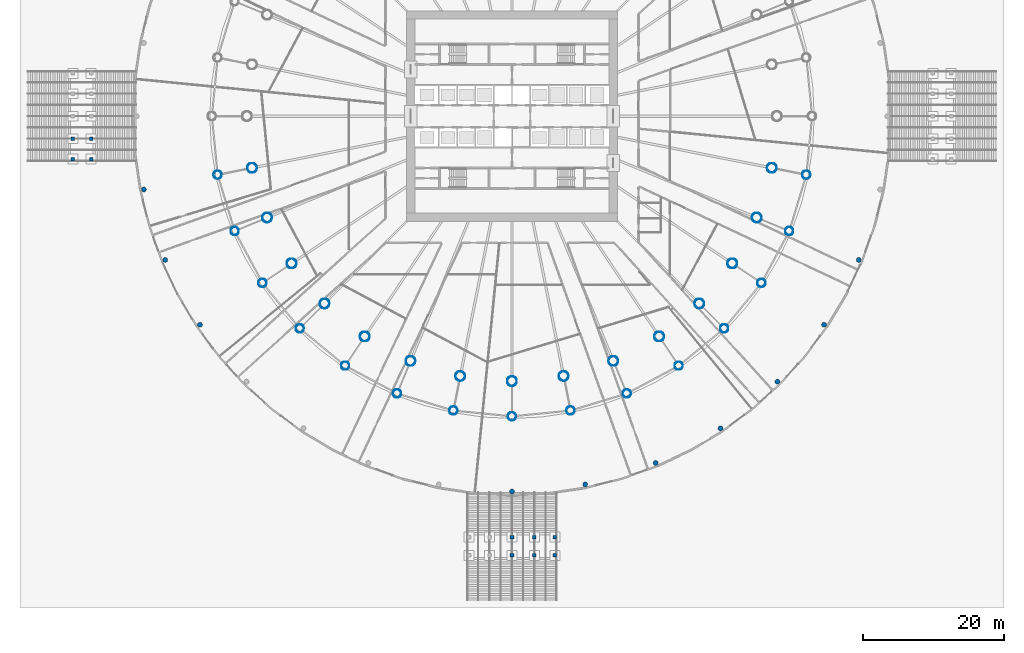
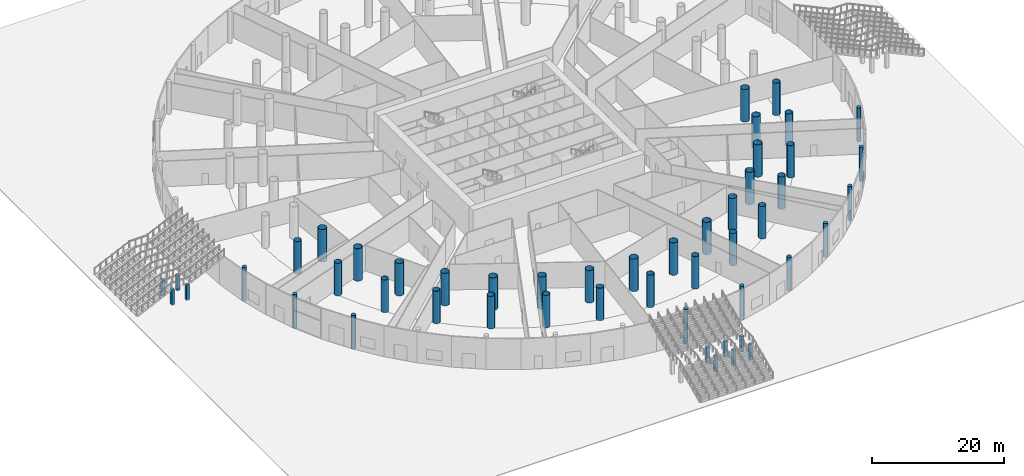
# One storey, part 2 of 33: 50 columns.
"""IFC4 building model written with IfcOpenShell, lengths in metres."""

from ifc_helpers import new_model, si_unit, direction, frame, origin, origin_2d, place, context, subcontext, project, spatial, rectangle, circle, hollow_circle, extrude, material, material_profile, profile_set, type_object, element, save


model = new_model("IFC4")

# Units and contexts
model_context = context("Model", 3, precision=1e-05, world=origin(), true_north=direction((0.0, 1.0)))
body_context = subcontext(model_context, "Body", "Model", "MODEL_VIEW")
ifc_project = project(units=[si_unit("LENGTHUNIT", "METRE"), si_unit("AREAUNIT", "SQUARE_METRE"), si_unit("VOLUMEUNIT", "CUBIC_METRE"), si_unit("PLANEANGLEUNIT", "RADIAN"), si_unit("MASSUNIT", "GRAM", prefix="KILO")], contexts=[model_context])

# Site, building, storey
site_placement = place(None, origin())
site = spatial("IfcSite", under=ifc_project, at=site_placement, CompositionType="ELEMENT")
building_placement = place(site_placement, origin())
building = spatial("IfcBuilding", under=site, at=building_placement, Name="Corvane Civic Tower", CompositionType="ELEMENT")
storey_placement = place(building_placement, origin())
storey = spatial("IfcBuildingStorey", under=building, at=storey_placement, Name="G", CompositionType="ELEMENT", Elevation=0.0)

# Columns
ifc_material_1 = material(Name="Steel ASTM A572 Gr 50", Category="steel")
ifc_material_profile_1 = material_profile(ifc_material_1, hollow_circle(Radius=0.60009765625, WallThickness=0.035888671875, at=origin_2d()), Name="CHS1200X36")
ifc_profile_set_1 = profile_set([ifc_material_profile_1], Name="Steel ASTM A572 Gr 50")
column_type_1 = type_object("IfcColumnType", Name="COMPOSITE COLUMN CHS1200X36", PredefinedType="COLUMN", material=ifc_profile_set_1)
for number, where, z_axis, x_axis, name in (
    (1, (41.879638671875, -8.330322265625, 0.0), (0.0, 0.0, 1.0), (1.0, 0.0, 0.0), "COL-G-G10"),
    (2, (39.44970703125, -16.340576171875, 0.0), (0.0, 0.0, 1.0), (1.0, 0.0, 0.0), "COL-G-G11"),
    (3, (35.503662109375, -23.722900390625, 0.0), (0.0, 0.0, 1.0), (1.0, 0.0, 0.0), "COL-G-G12"),
    (4, (30.193359375, -30.193359375, 0.0), (0.0, 0.0, 1.0), (1.0, 0.0, 0.0), "COL-G-G13"),
    (5, (23.722900390625, -35.503662109375, 0.0), (0.0, 0.0, 1.0), (1.0, 0.0, 0.0), "COL-G-G14"),
    (6, (16.340576171875, -39.44970703125, 0.0), (0.0, 0.0, 1.0), (1.0, 0.0, 0.0), "COL-G-G15"),
    (7, (8.330322265625, -41.879638671875, 0.0), (0.0, 0.0, 1.0), (1.0, 0.0, 0.0), "COL-G-G16"),
    (8, (0.0, -42.699951171875, 0.0), (0.0, 0.0, 1.0), (1.0, 0.0, 0.0), "COL-G-G17"),
    (9, (-8.330322265625, -41.879638671875, 0.0), (0.0, 0.0, 1.0), (1.0, 0.0, 0.0), "COL-G-G18"),
    (10, (-16.340576171875, -39.44970703125, 0.0), (0.0, 0.0, 1.0), (1.0, 0.0, 0.0), "COL-G-G19"),
    (11, (-23.722900390625, -35.503662109375, 0.0), (0.0, 0.0, 1.0), (1.0, 0.0, 0.0), "COL-G-G20"),
    (12, (-30.193359375, -30.193359375, 0.0), (0.0, 0.0, 1.0), (1.0, 0.0, 0.0), "COL-G-G21"),
    (13, (-35.503662109375, -23.722900390625, 0.0), (0.0, 0.0, 1.0), (1.0, 0.0, 0.0), "COL-G-G22"),
    (14, (-39.44970703125, -16.340576171875, 0.0), (0.0, 0.0, 1.0), (1.0, 0.0, 0.0), "COL-G-G23"),
    (15, (-41.879638671875, -8.330322265625, 0.0), (0.0, 0.0, 1.0), (1.0, 0.0, 0.0), "COL-G-G24"),
):
    element("IfcColumn", number, at=place(storey_placement, frame(where, z_axis=z_axis, x_axis=x_axis)), inside=storey, type_object=column_type_1, Name=name, PredefinedType="COLUMN", context=body_context, shape_type="SweptSolid", body=[
        extrude(hollow_circle(Radius=0.60009765625, WallThickness=0.035888671875, at=origin_2d()), origin(), (0.0, 0.0, 1.0), 6.0),
    ])
ifc_material_2 = material(Name="Steel ASTM A572 Gr 50", Category="steel")
ifc_material_profile_2 = material_profile(ifc_material_2, hollow_circle(Radius=0.699951171875, WallThickness=0.0400390625, at=origin_2d()), Name="CHS1400X40")
ifc_profile_set_2 = profile_set([ifc_material_profile_2], Name="Steel ASTM A572 Gr 50")
column_type_2 = type_object("IfcColumnType", Name="COMPOSITE COLUMN CHS1400X40", PredefinedType="COLUMN", material=ifc_profile_set_2)
for number, where, z_axis, x_axis, name in (
    (16, (36.9755859375, -7.35498046875, 0.0), (0.0, 0.0, 1.0), (1.0, 0.0, 0.0), "COL-G-A10"),
    (17, (34.830322265625, -14.42724609375, 0.0), (0.0, 0.0, 1.0), (1.0, 0.0, 0.0), "COL-G-A11"),
    (18, (31.346435546875, -20.945068359375, 0.0), (0.0, 0.0, 1.0), (1.0, 0.0, 0.0), "COL-G-A12"),
    (19, (26.657958984375, -26.657958984375, 0.0), (0.0, 0.0, 1.0), (1.0, 0.0, 0.0), "COL-G-A13"),
    (20, (20.945068359375, -31.346435546875, 0.0), (0.0, 0.0, 1.0), (1.0, 0.0, 0.0), "COL-G-A14"),
    (21, (14.42724609375, -34.830322265625, 0.0), (0.0, 0.0, 1.0), (1.0, 0.0, 0.0), "COL-G-A15"),
    (22, (7.35498046875, -36.9755859375, 0.0), (0.0, 0.0, 1.0), (1.0, 0.0, 0.0), "COL-G-A16"),
    (23, (0.0, -37.699951171875, 0.0), (0.0, 0.0, 1.0), (1.0, 0.0, 0.0), "COL-G-A17"),
    (24, (-7.35498046875, -36.9755859375, 0.0), (0.0, 0.0, 1.0), (1.0, 0.0, 0.0), "COL-G-A18"),
    (25, (-14.42724609375, -34.830322265625, 0.0), (0.0, 0.0, 1.0), (1.0, 0.0, 0.0), "COL-G-A19"),
    (26, (-20.945068359375, -31.346435546875, 0.0), (0.0, 0.0, 1.0), (1.0, 0.0, 0.0), "COL-G-A20"),
    (27, (-26.657958984375, -26.657958984375, 0.0), (0.0, 0.0, 1.0), (1.0, 0.0, 0.0), "COL-G-A21"),
    (28, (-31.346435546875, -20.945068359375, 0.0), (0.0, 0.0, 1.0), (1.0, 0.0, 0.0), "COL-G-A22"),
    (29, (-34.830322265625, -14.42724609375, 0.0), (0.0, 0.0, 1.0), (1.0, 0.0, 0.0), "COL-G-A23"),
    (30, (-36.9755859375, -7.35498046875, 0.0), (0.0, 0.0, 1.0), (1.0, 0.0, 0.0), "COL-G-A24"),
):
    element("IfcColumn", number, at=place(storey_placement, frame(where, z_axis=z_axis, x_axis=x_axis)), inside=storey, type_object=column_type_2, Name=name, PredefinedType="COLUMN", context=body_context, shape_type="SweptSolid", body=[
        extrude(hollow_circle(Radius=0.699951171875, WallThickness=0.0400390625, at=origin_2d()), origin(), (0.0, 0.0, 1.0), 6.0),
    ])
ifc_material_3 = material(Name="Concrete C40/50", Category="concrete")
ifc_material_profile_3 = material_profile(ifc_material_3, rectangle(XDim=0.5, YDim=0.5, at=origin_2d()), Name="RC 500x500")
ifc_profile_set_3 = profile_set([ifc_material_profile_3], Name="Concrete C40/50")
column_type_3 = type_object("IfcColumnType", Name="PODIUM-C-STAIRPIER-500", PredefinedType="COLUMN", material=ifc_profile_set_3)
for number, where, z_axis, x_axis, name in (
    (31, (0.0, -59.8798828125, -0.14990234375), (0.0, 0.0, 1.0), (0.0, -1.0, 0.0), "South stair landing pier 3"),
    (32, (3.199951171875, -59.8798828125, -0.14990234375), (0.0, 0.0, 1.0), (0.0, -1.0, 0.0), "South stair landing pier 4"),
    (33, (6.10009765625, -59.8798828125, -0.14990234375), (0.0, 0.0, 1.0), (0.0, -1.0, 0.0), "South stair landing pier 5"),
    (34, (0.0, -62.47998046875, -0.14990234375), (0.0, 0.0, 1.0), (0.0, -1.0, 0.0), "South stair landing pier 8"),
    (35, (3.199951171875, -62.47998046875, -0.14990234375), (0.0, 0.0, 1.0), (0.0, -1.0, 0.0), "South stair landing pier 9"),
    (36, (6.10009765625, -62.47998046875, -0.14990234375), (0.0, 0.0, 1.0), (0.0, -1.0, 0.0), "South stair landing pier 10"),
    (37, (-59.8798828125, -3.199951171875, -0.14990234375), (0.0, 0.0, 1.0), (-1.0, 0.0, 0.0), "West stair landing pier 4"),
    (38, (-59.8798828125, -6.10009765625, -0.14990234375), (0.0, 0.0, 1.0), (-1.0, 0.0, 0.0), "West stair landing pier 5"),
    (39, (-62.47998046875, -3.199951171875, -0.14990234375), (0.0, 0.0, 1.0), (-1.0, 0.0, 0.0), "West stair landing pier 9"),
    (40, (-62.47998046875, -6.10009765625, -0.14990234375), (0.0, 0.0, 1.0), (-1.0, 0.0, 0.0), "West stair landing pier 10"),
):
    element("IfcColumn", number, at=place(storey_placement, frame(where, z_axis=z_axis, x_axis=x_axis)), inside=storey, type_object=column_type_3, Name=name, PredefinedType="COLUMN", context=body_context, shape_type="SweptSolid", body=[
        extrude(rectangle(XDim=0.5, YDim=0.5, at=origin_2d()), origin(), (0.0, 0.0, 1.0), 2.89990234375),
    ])
ifc_material_4 = material(Name="Concrete C50/60", Category="concrete")
ifc_material_profile_4 = material_profile(ifc_material_4, circle(Radius=0.35009765625, at=origin_2d()), Name="COLUMN 700")
ifc_profile_set_4 = profile_set([ifc_material_profile_4], Name="Concrete C50/60")
column_type_4 = type_object("IfcColumnType", Name="RC COLUMN COLUMN 700", PredefinedType="COLUMN", material=ifc_profile_set_4)
for number, where, z_axis, x_axis, name in (
    (41, (49.335205078125, -20.435302734375, -0.300048828125), (0.0, 0.0, 1.0), (1.0, 0.0, 0.0), "COL-G-H11"),
    (42, (44.400390625, -29.66748046875, -0.300048828125), (0.0, 0.0, 1.0), (1.0, 0.0, 0.0), "COL-G-H12"),
    (43, (37.759521484375, -37.759521484375, -0.300048828125), (0.0, 0.0, 1.0), (1.0, 0.0, 0.0), "COL-G-H13"),
    (44, (29.66748046875, -44.400390625, -0.300048828125), (0.0, 0.0, 1.0), (1.0, 0.0, 0.0), "COL-G-H14"),
    (45, (20.435302734375, -49.335205078125, -0.300048828125), (0.0, 0.0, 1.0), (1.0, 0.0, 0.0), "COL-G-H15"),
    (46, (10.417724609375, -52.3740234375, -0.300048828125), (0.0, 0.0, 1.0), (1.0, 0.0, 0.0), "COL-G-H16"),
    (47, (0.0, -53.39990234375, -0.300048828125), (0.0, 0.0, 1.0), (1.0, 0.0, 0.0), "COL-G-H17"),
    (48, (-44.400390625, -29.66748046875, -0.300048828125), (0.0, 0.0, 1.0), (1.0, 0.0, 0.0), "COL-G-H22"),
    (49, (-49.335205078125, -20.435302734375, -0.300048828125), (0.0, 0.0, 1.0), (1.0, 0.0, 0.0), "COL-G-H23"),
    (50, (-52.3740234375, -10.417724609375, -0.300048828125), (0.0, 0.0, 1.0), (1.0, 0.0, 0.0), "COL-G-H24"),
):
    element("IfcColumn", number, at=place(storey_placement, frame(where, z_axis=z_axis, x_axis=x_axis)), inside=storey, type_object=column_type_4, Name=name, PredefinedType="COLUMN", context=body_context, shape_type="SweptSolid", body=[
        extrude(circle(Radius=0.35009765625, at=origin_2d()), origin(), (0.0, 0.0, 1.0), 6.300048828125),
    ])

save(model, "model.ifc")
